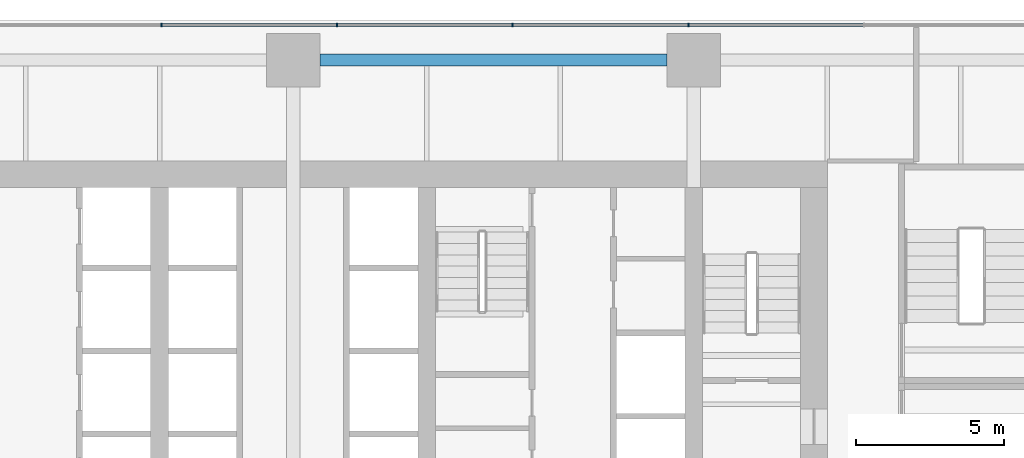
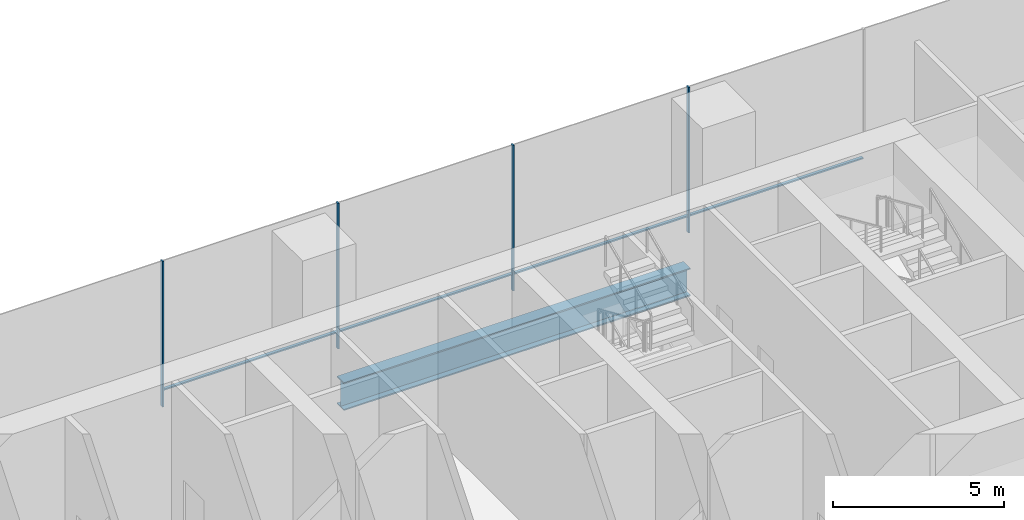
# One storey, part 13 of 26: 8 members, 1 beam, 1 element without a shape of its own.
"""IFC4 building model written with IfcOpenShell, lengths in metres."""

from ifc_helpers import new_model, si_unit, direction, frame, origin, origin_2d, place, context, subcontext, project, spatial, rectangle, i_section, extrude, material, layer, layer_set, material_profile, profile_set, type_object, element, aggregate, save


model = new_model("IFC4")

# Units and contexts
model_context = context("Model", 3, precision=1e-05, world=origin(), true_north=direction((0.0, 1.0)))
body_context = subcontext(model_context, "Body", "Model", "MODEL_VIEW")
ifc_project = project(units=[si_unit("LENGTHUNIT", "METRE"), si_unit("AREAUNIT", "SQUARE_METRE"), si_unit("VOLUMEUNIT", "CUBIC_METRE"), si_unit("PLANEANGLEUNIT", "RADIAN"), si_unit("MASSUNIT", "GRAM", prefix="KILO")], contexts=[model_context])

# Site, building, storey
site_placement = place(None, origin())
site = spatial("IfcSite", under=ifc_project, at=site_placement, CompositionType="ELEMENT")
building_placement = place(site_placement, origin())
building = spatial("IfcBuilding", under=site, at=building_placement, Name="Rattan Terrace Tower", CompositionType="ELEMENT")
storey_placement = place(building_placement, frame((0.0, 0.0, 7.199951171875)))
storey = spatial("IfcBuildingStorey", under=building, at=storey_placement, Name="L01", CompositionType="ELEMENT", Elevation=7.199951171875)

# Beam
ifc_material_1 = material(Name="Steel S460", Category="steel")
ifc_material_profile_1 = material_profile(ifc_material_1, i_section(OverallWidth=0.39990234375, OverallDepth=1.0, WebThickness=0.01806640625, FlangeThickness=0.044921875, at=origin_2d()), Name="PG 1000x400-18-45")
ifc_profile_set_1 = profile_set([ifc_material_profile_1], Name="Steel S460")
beam_type = type_object("IfcBeamType", Name="Frame podium girder PG 1000x400-18-45", PredefinedType="USERDEFINED", material=ifc_profile_set_1)
beam_placement = place(storey_placement, frame((0.89990234375, 10.89990234375, -0.699951171875), z_axis=(1.0, 0.0, 0.0), x_axis=(0.0, 1.0, 0.0)))
element("IfcBeam", 1, at=beam_placement, inside=storey, type_object=beam_type, Name="gdr-L01-049", ObjectType="PODIUM GIRDER", PredefinedType="USERDEFINED", context=body_context, shape_type="SweptSolid", body=[
    extrude(i_section(OverallWidth=0.39990234375, OverallDepth=1.0, WebThickness=0.01806640625, FlangeThickness=0.044921875, at=origin_2d()), origin(), (0.0, 0.0, 1.0), 11.7001953125),
])

# Curtain wall, members
ifc_material_2 = material(Name="Aluminium and glass", Category="aluminium")
ifc_layer = layer(ifc_material_2, 0.1201171875)
ifc_layer_set = layer_set([ifc_layer], Name="Station Storefront Curtain Wall")
curtain_wall_type = type_object("IfcCurtainWallType", Name="Station Storefront Curtain Wall", PredefinedType="NOTDEFINED", material=ifc_layer_set)
curtain_wall_placement = place(storey_placement, origin())
curtain_wall = element("IfcCurtainWall", 2, at=curtain_wall_placement, inside=storey, type_object=curtain_wall_type, Name="Storefront curtain wall L01-2", PredefinedType="NOTDEFINED")
ifc_material_3 = material(Name="Aluminium", Category="aluminium")
ifc_material_profile_2 = material_profile(ifc_material_3, rectangle(XDim=0.050048828125, YDim=0.1201171875, at=origin_2d()), Name="Aluminium 50x120")
ifc_profile_set_2 = profile_set([ifc_material_profile_2], Name="Aluminium")
member_type_1 = type_object("IfcMemberType", Name="Storefront CW Mullion 50x120", PredefinedType="MULLION", material=ifc_profile_set_2)
member_1_placement = place(storey_placement, frame((13.320068359375, 12.080078125, 0.0), z_axis=(0.0, 0.0, 1.0), x_axis=(-1.0, 0.0, 0.0)))
member_1 = element("IfcMember", 3, at=member_1_placement, type_object=member_type_1, Name="Mullion cwl-L01-002.5", PredefinedType="MULLION", context=body_context, shape_type="SweptSolid", body=[
    extrude(rectangle(XDim=0.050048828125, YDim=0.1201171875, at=origin_2d()), origin(), (0.0, 0.0, 1.0), 5.199951171875),
])
member_2_placement = place(storey_placement, frame((7.39990234375, 12.080078125, 0.0), z_axis=(0.0, 0.0, 1.0), x_axis=(-1.0, 0.0, 0.0)))
member_2 = element("IfcMember", 4, at=member_2_placement, type_object=member_type_1, Name="Mullion cwl-L01-002.6", PredefinedType="MULLION", context=body_context, shape_type="SweptSolid", body=[
    extrude(rectangle(XDim=0.050048828125, YDim=0.1201171875, at=origin_2d()), origin(), (0.0, 0.0, 1.0), 5.199951171875),
])
member_3_placement = place(storey_placement, frame((1.47998046875, 12.080078125, 0.0), z_axis=(0.0, 0.0, 1.0), x_axis=(-1.0, 0.0, 0.0)))
member_3 = element("IfcMember", 5, at=member_3_placement, type_object=member_type_1, Name="Mullion cwl-L01-002.7", PredefinedType="MULLION", context=body_context, shape_type="SweptSolid", body=[
    extrude(rectangle(XDim=0.050048828125, YDim=0.1201171875, at=origin_2d()), origin(), (0.0, 0.0, 1.0), 5.199951171875),
])
member_4_placement = place(storey_placement, frame((-4.43994140625, 12.080078125, 0.0), z_axis=(0.0, 0.0, 1.0), x_axis=(-1.0, 0.0, 0.0)))
member_4 = element("IfcMember", 6, at=member_4_placement, type_object=member_type_1, Name="Mullion cwl-L01-002.8", PredefinedType="MULLION", context=body_context, shape_type="SweptSolid", body=[
    extrude(rectangle(XDim=0.050048828125, YDim=0.1201171875, at=origin_2d()), origin(), (0.0, 0.0, 1.0), 5.199951171875),
])
ifc_material_4 = material(Name="Aluminium", Category="aluminium")
ifc_material_profile_3 = material_profile(ifc_material_4, rectangle(XDim=0.10009765625, YDim=0.050048828125, at=origin_2d()), Name="Aluminium 100x50")
ifc_profile_set_3 = profile_set([ifc_material_profile_3], Name="Aluminium")
member_type_2 = type_object("IfcMemberType", Name="Storefront CW Transom 100x50", PredefinedType="USERDEFINED", material=ifc_profile_set_3)
member_5_placement = place(storey_placement, frame((19.215087890625, 12.080078125, 0.60009765625), z_axis=(-1.0, 0.0, 0.0), x_axis=(0.0, -1.0, 0.0)))
member_5 = element("IfcMember", 7, at=member_5_placement, type_object=member_type_2, Name="Transom cwl-L01-002.4", ObjectType="TRANSOM", PredefinedType="USERDEFINED", context=body_context, shape_type="SweptSolid", body=[
    extrude(rectangle(XDim=0.10009765625, YDim=0.050048828125, at=origin_2d()), origin(), (0.0, 0.0, 1.0), 5.8701171875),
])
member_6_placement = place(storey_placement, frame((13.294921875, 12.080078125, 0.60009765625), z_axis=(-1.0, 0.0, 0.0), x_axis=(0.0, -1.0, 0.0)))
member_6 = element("IfcMember", 8, at=member_6_placement, type_object=member_type_2, Name="Transom cwl-L01-002.5", ObjectType="TRANSOM", PredefinedType="USERDEFINED", context=body_context, shape_type="SweptSolid", body=[
    extrude(rectangle(XDim=0.10009765625, YDim=0.050048828125, at=origin_2d()), origin(), (0.0, 0.0, 1.0), 5.869873046875),
])
member_7_placement = place(storey_placement, frame((7.375, 12.080078125, 0.60009765625), z_axis=(-1.0, 0.0, 0.0), x_axis=(0.0, -1.0, 0.0)))
member_7 = element("IfcMember", 9, at=member_7_placement, type_object=member_type_2, Name="Transom cwl-L01-002.6", ObjectType="TRANSOM", PredefinedType="USERDEFINED", context=body_context, shape_type="SweptSolid", body=[
    extrude(rectangle(XDim=0.10009765625, YDim=0.050048828125, at=origin_2d()), origin(), (0.0, 0.0, 1.0), 5.8701171875),
])
member_8_placement = place(storey_placement, frame((1.455078125, 12.080078125, 0.60009765625), z_axis=(-1.0, 0.0, 0.0), x_axis=(0.0, -1.0, 0.0)))
member_8 = element("IfcMember", 10, at=member_8_placement, type_object=member_type_2, Name="Transom cwl-L01-002.7", ObjectType="TRANSOM", PredefinedType="USERDEFINED", context=body_context, shape_type="SweptSolid", body=[
    extrude(rectangle(XDim=0.10009765625, YDim=0.050048828125, at=origin_2d()), origin(), (0.0, 0.0, 1.0), 5.8701171875),
])
aggregate(curtain_wall, [member_1, member_2, member_3, member_4, member_5, member_6, member_7, member_8])

save(model, "model.ifc")
